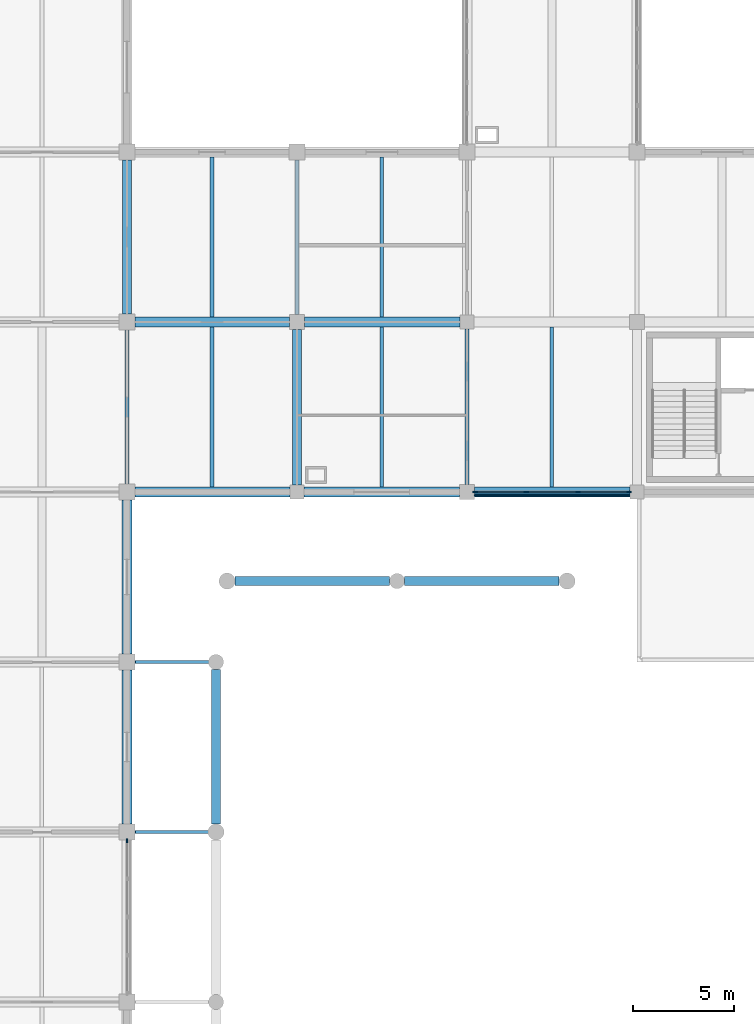
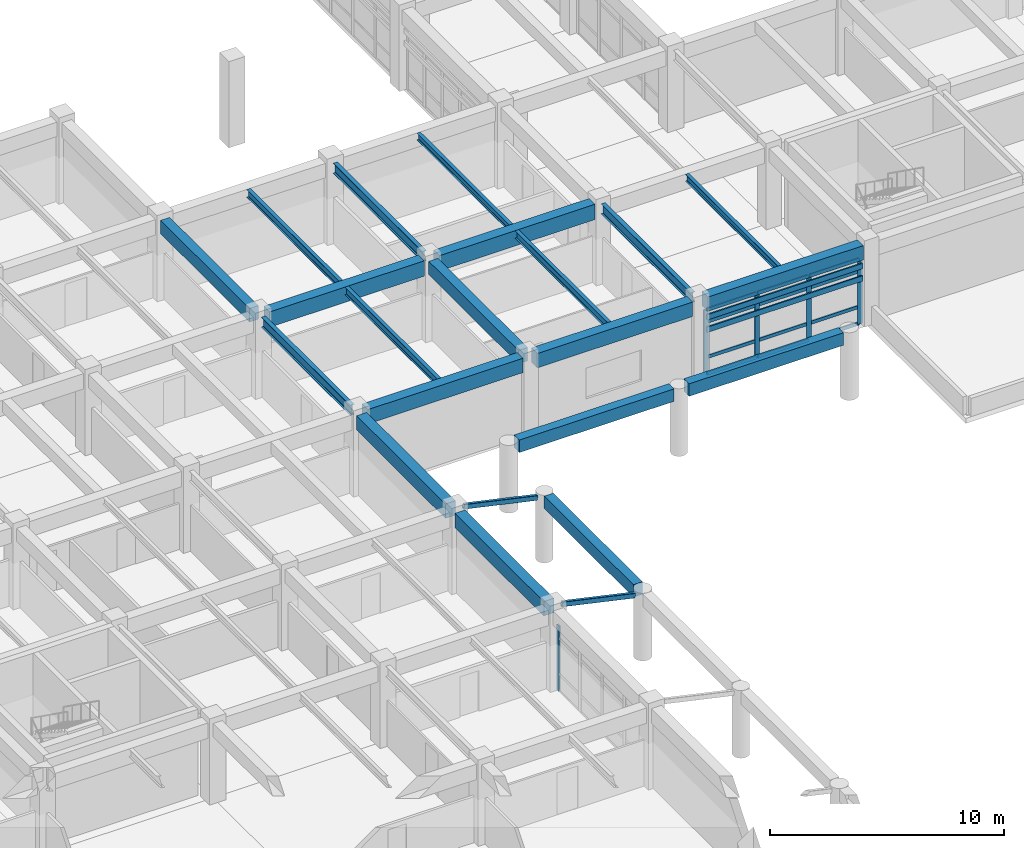
# One storey, part 8 of 99: 21 members, 20 beams, 2 elements without a shape of their own.
"""IFC4 building model written with IfcOpenShell, lengths in metres."""

from ifc_helpers import new_model, si_unit, direction, frame, origin, origin_2d, place, context, subcontext, project, spatial, rectangle, hollow_rectangle, i_section, extrude, material, layer, layer_set, material_profile, profile_set, type_object, element, aggregate, save


model = new_model("IFC4")

# Units and contexts
model_context = context("Model", 3, precision=1e-05, world=origin(), true_north=direction((0.0, 1.0)))
body_context = subcontext(model_context, "Body", "Model", "MODEL_VIEW")
ifc_project = project(units=[si_unit("LENGTHUNIT", "METRE"), si_unit("AREAUNIT", "SQUARE_METRE"), si_unit("VOLUMEUNIT", "CUBIC_METRE"), si_unit("PLANEANGLEUNIT", "RADIAN"), si_unit("MASSUNIT", "GRAM", prefix="KILO")], contexts=[model_context])

# Site, building, storey
site_placement = place(None, origin())
site = spatial("IfcSite", under=ifc_project, at=site_placement, CompositionType="ELEMENT")
building_placement = place(site_placement, origin())
building = spatial("IfcBuilding", under=site, at=building_placement, Name="Porcellanite Civic Hall", CompositionType="ELEMENT")
storey_placement = place(building_placement, frame((0.0, 0.0, 5.760009765625)))
storey = spatial("IfcBuildingStorey", under=building, at=storey_placement, Name="L01", CompositionType="ELEMENT", Elevation=5.760009765625)

# Beams
ifc_material_1 = material(Name="Concrete N50 (50 MPa)", Category="concrete")
ifc_material_profile_1 = material_profile(ifc_material_1, rectangle(XDim=0.449951171875, YDim=0.64990234375, at=origin_2d()), Name="RC-450x650")
ifc_profile_set_1 = profile_set([ifc_material_profile_1], Name="Concrete N50 (50 MPa)")
beam_type_1 = type_object("IfcBeamType", Name="BM-RC650", PredefinedType="SPANDREL", material=ifc_profile_set_1)
for number, where, z_axis, x_axis, name in (
    (1, (38.0, 33.99951171875, 3.205078125), (0.0, 1.0, 0.0), (-1.0, 0.0, 0.0), "Colonnade keystone beam L01 COL-W-P05"),
    (2, (38.949462890625, 46.0, 3.205078125), (1.0, 0.0, 0.0), (0.0, 1.0, 0.0), "Colonnade keystone beam L01 COL-NW-P01"),
    (3, (47.324462890625, 46.0, 3.205078125), (1.0, 0.0, 0.0), (0.0, 1.0, 0.0), "Colonnade keystone beam L01 COL-NW-P02"),
):
    element("IfcBeam", number, at=place(storey_placement, frame(where, z_axis=z_axis, x_axis=x_axis)), inside=storey, type_object=beam_type_1, Name=name, PredefinedType="SPANDREL", context=body_context, shape_type="SweptSolid", body=[
        extrude(rectangle(XDim=0.449951171875, YDim=0.64990234375, at=origin_2d()), origin(), (0.0, 0.0, 1.0), 7.6259765625),
    ])
ifc_material_2 = material(Name="Concrete N50 (50 MPa)", Category="concrete")
ifc_material_profile_2 = material_profile(ifc_material_2, rectangle(XDim=0.449951171875, YDim=0.699951171875, at=origin_2d()), Name="RC-450x700")
ifc_profile_set_2 = profile_set([ifc_material_profile_2], Name="Concrete N50 (50 MPa)")
beam_type_2 = type_object("IfcBeamType", Name="BM-RC700", PredefinedType="BEAM", material=ifc_profile_set_2)
beam_1_placement = place(storey_placement, frame((33.60009765625, 59.199462890625, 3.85009765625), z_axis=(0.0, 1.0, 0.0), x_axis=(-1.0, 0.0, 0.0)))
element("IfcBeam", 4, at=beam_1_placement, inside=storey, type_object=beam_type_2, Name="Beam Y L01 5-8", PredefinedType="BEAM", context=body_context, shape_type="SweptSolid", body=[
    extrude(rectangle(XDim=0.449951171875, YDim=0.699951171875, at=origin_2d()), origin(), (0.0, 0.0, 1.0), 7.60107421875),
])
beam_2_placement = place(storey_placement, frame((42.0, 50.74951171875, 3.85009765625), z_axis=(0.0, 1.0, 0.0), x_axis=(-1.0, 0.0, 0.0)))
element("IfcBeam", 5, at=beam_2_placement, inside=storey, type_object=beam_type_2, Name="Beam Y L01 6-7", PredefinedType="BEAM", context=body_context, shape_type="SweptSolid", body=[
    extrude(rectangle(XDim=0.449951171875, YDim=0.699951171875, at=origin_2d()), origin(), (0.0, 0.0, 1.0), 7.676025390625),
])
ifc_material_3 = material(Name="Concrete N50 (50 MPa)", Category="concrete")
ifc_material_profile_3 = material_profile(ifc_material_3, rectangle(XDim=0.5, YDim=0.75, at=origin_2d()), Name="RC-500x750")
ifc_profile_set_3 = profile_set([ifc_material_profile_3], Name="Concrete N50 (50 MPa)")
beam_type_3 = type_object("IfcBeamType", Name="BM-RC750", PredefinedType="SPANDREL", material=ifc_profile_set_3)
beam_3_placement = place(storey_placement, frame((33.99951171875, 50.39990234375, 3.824951171875), z_axis=(1.0, 0.0, 0.0), x_axis=(0.0, 1.0, 0.0)))
element("IfcBeam", 6, at=beam_3_placement, inside=storey, type_object=beam_type_3, Name="Beam X L01 5-7", PredefinedType="SPANDREL", context=body_context, shape_type="SweptSolid", body=[
    extrude(rectangle(XDim=0.5, YDim=0.75, at=origin_2d()), origin(), (0.0, 0.0, 1.0), 7.65087890625),
])
beam_4_placement = place(storey_placement, frame((42.349609375, 50.39990234375, 3.824951171875), z_axis=(1.0, 0.0, 0.0), x_axis=(0.0, 1.0, 0.0)))
element("IfcBeam", 7, at=beam_4_placement, inside=storey, type_object=beam_type_3, Name="Beam X L01 6-7", PredefinedType="SPANDREL", context=body_context, shape_type="SweptSolid", body=[
    extrude(rectangle(XDim=0.5, YDim=0.75, at=origin_2d()), origin(), (0.0, 0.0, 1.0), 7.67578125),
])
beam_5_placement = place(storey_placement, frame((50.7744140625, 50.39990234375, 3.824951171875), z_axis=(1.0, 0.0, 0.0), x_axis=(0.0, 1.0, 0.0)))
element("IfcBeam", 8, at=beam_5_placement, inside=storey, type_object=beam_type_3, Name="Beam X L01 7-7", PredefinedType="SPANDREL", context=body_context, shape_type="SweptSolid", body=[
    extrude(rectangle(XDim=0.5, YDim=0.75, at=origin_2d()), origin(), (0.0, 0.0, 1.0), 7.676025390625),
])
for number, where, z_axis, x_axis, name in (
    (9, (33.60009765625, 33.99951171875, 3.824951171875), (0.0, 1.0, 0.0), (-1.0, 0.0, 0.0), "Beam Y L01 5-5"),
    (10, (33.60009765625, 42.3994140625, 3.824951171875), (0.0, 1.0, 0.0), (-1.0, 0.0, 0.0), "Beam Y L01 5-6"),
):
    element("IfcBeam", number, at=place(storey_placement, frame(where, z_axis=z_axis, x_axis=x_axis)), inside=storey, type_object=beam_type_3, Name=name, PredefinedType="SPANDREL", context=body_context, shape_type="SweptSolid", body=[
        extrude(rectangle(XDim=0.5, YDim=0.75, at=origin_2d()), origin(), (0.0, 0.0, 1.0), 7.60107421875),
    ])
ifc_material_4 = material(Name="Concrete N50 (50 MPa)", Category="concrete")
ifc_material_profile_4 = material_profile(ifc_material_4, rectangle(XDim=0.5, YDim=0.800048828125, at=origin_2d()), Name="RC-500x800")
ifc_profile_set_4 = profile_set([ifc_material_profile_4], Name="Concrete N50 (50 MPa)")
beam_type_4 = type_object("IfcBeamType", Name="BM-RC800", PredefinedType="BEAM", material=ifc_profile_set_4)
beam_6_placement = place(storey_placement, frame((33.99951171875, 58.800048828125, 3.800048828125), z_axis=(1.0, 0.0, 0.0), x_axis=(0.0, 1.0, 0.0)))
element("IfcBeam", 11, at=beam_6_placement, inside=storey, type_object=beam_type_4, Name="Beam X L01 5-8", PredefinedType="BEAM", context=body_context, shape_type="SweptSolid", body=[
    extrude(rectangle(XDim=0.5, YDim=0.800048828125, at=origin_2d()), origin(), (0.0, 0.0, 1.0), 7.6259765625),
])
beam_7_placement = place(storey_placement, frame((42.37451171875, 58.800048828125, 3.800048828125), z_axis=(1.0, 0.0, 0.0), x_axis=(0.0, 1.0, 0.0)))
element("IfcBeam", 12, at=beam_7_placement, inside=storey, type_object=beam_type_4, Name="Beam X L01 6-8", PredefinedType="BEAM", context=body_context, shape_type="SweptSolid", body=[
    extrude(rectangle(XDim=0.5, YDim=0.800048828125, at=origin_2d()), origin(), (0.0, 0.0, 1.0), 7.676025390625),
])

# Curtain wall, members
ifc_material_5 = material(Name="Anodised aluminium and solar laminated glass", Category="aluminium")
ifc_layer_1 = layer(ifc_material_5, 0.179931640625)
ifc_layer_set_1 = layer_set([ifc_layer_1], Name="Anodised aluminium and solar laminated glass")
curtain_wall_type_1 = type_object("IfcCurtainWallType", Name="CW-SYS08", PredefinedType="NOTDEFINED", material=ifc_layer_set_1)
curtain_wall_1_placement = place(storey_placement, origin())
curtain_wall_1 = element("IfcCurtainWall", 13, at=curtain_wall_1_placement, inside=storey, type_object=curtain_wall_type_1, Name="Curtain wall CW-076", PredefinedType="NOTDEFINED")
ifc_material_6 = material(Name="Anodised aluminium 6063-T6", Category="aluminium")
ifc_material_profile_5 = material_profile(ifc_material_6, rectangle(XDim=0.080078125, YDim=0.239990234375, at=origin_2d()), Name="AL-80x240")
ifc_profile_set_5 = profile_set([ifc_material_profile_5], Name="Anodised aluminium 6063-T6")
member_type_1 = type_object("IfcMemberType", Name="CWM-01", PredefinedType="MULLION", material=ifc_profile_set_5)
member_1_placement = place(storey_placement, frame((58.408935546875, 50.39990234375, 0.0), z_axis=(0.0, 0.0, 1.0), x_axis=(0.0, -1.0, 0.0)))
member_1 = element("IfcMember", 14, at=member_1_placement, type_object=member_type_1, Name="CW-076 mullion 1", PredefinedType="MULLION", context=body_context, shape_type="SweptSolid", body=[
    extrude(rectangle(XDim=0.080078125, YDim=0.239990234375, at=origin_2d()), origin(), (0.0, 0.0, 1.0), 3.39990234375),
])
member_2_placement = place(storey_placement, frame((55.891357421875, 50.39990234375, 0.0), z_axis=(0.0, 0.0, 1.0), x_axis=(0.0, -1.0, 0.0)))
member_2 = element("IfcMember", 15, at=member_2_placement, type_object=member_type_1, Name="CW-076 mullion 2", PredefinedType="MULLION", context=body_context, shape_type="SweptSolid", body=[
    extrude(rectangle(XDim=0.080078125, YDim=0.239990234375, at=origin_2d()), origin(), (0.0, 0.0, 1.0), 3.39990234375),
])
member_3_placement = place(storey_placement, frame((53.333740234375, 50.39990234375, 0.0), z_axis=(0.0, 0.0, 1.0), x_axis=(0.0, -1.0, 0.0)))
member_3 = element("IfcMember", 16, at=member_3_placement, type_object=member_type_1, Name="CW-076 mullion 3", PredefinedType="MULLION", context=body_context, shape_type="SweptSolid", body=[
    extrude(rectangle(XDim=0.080078125, YDim=0.239990234375, at=origin_2d()), origin(), (0.0, 0.0, 1.0), 3.39990234375),
])
member_4_placement = place(storey_placement, frame((50.81591796875, 50.39990234375, 0.0), z_axis=(0.0, 0.0, 1.0), x_axis=(0.0, -1.0, 0.0)))
member_4 = element("IfcMember", 17, at=member_4_placement, type_object=member_type_1, Name="CW-076 mullion 4", PredefinedType="MULLION", context=body_context, shape_type="SweptSolid", body=[
    extrude(rectangle(XDim=0.080078125, YDim=0.239990234375, at=origin_2d()), origin(), (0.0, 0.0, 1.0), 3.39990234375),
])

# Curtain wall, member
ifc_material_7 = material(Name="Anodised aluminium and solar laminated glass", Category="aluminium")
ifc_layer_2 = layer(ifc_material_7, 0.179931640625)
ifc_layer_set_2 = layer_set([ifc_layer_2], Name="Anodised aluminium and solar laminated glass")
curtain_wall_type_2 = type_object("IfcCurtainWallType", Name="CW-SYS05", PredefinedType="NOTDEFINED", material=ifc_layer_set_2)
curtain_wall_2_placement = place(storey_placement, origin())
curtain_wall_2 = element("IfcCurtainWall", 18, at=curtain_wall_2_placement, inside=storey, type_object=curtain_wall_type_2, Name="Curtain wall CW-071", PredefinedType="NOTDEFINED")
ifc_material_8 = material(Name="Anodised aluminium 6063-T6", Category="aluminium")
ifc_material_profile_6 = material_profile(ifc_material_8, rectangle(XDim=0.070068359375, YDim=0.199951171875, at=origin_2d()), Name="AL-70x200")
ifc_profile_set_6 = profile_set([ifc_material_profile_6], Name="Anodised aluminium 6063-T6")
member_type_2 = type_object("IfcMemberType", Name="CWM-05", PredefinedType="MULLION", material=ifc_profile_set_6)
member_5_placement = place(storey_placement, frame((33.60009765625, 33.1640625, 0.0), z_axis=(0.0, 0.0, 1.0), x_axis=(1.0, 0.0, 0.0)))
member_5 = element("IfcMember", 19, at=member_5_placement, type_object=member_type_2, Name="CW-071 mullion 1", PredefinedType="MULLION", context=body_context, shape_type="SweptSolid", body=[
    extrude(rectangle(XDim=0.070068359375, YDim=0.199951171875, at=origin_2d()), origin(), (0.0, 0.0, 1.0), 3.39990234375),
])
aggregate(curtain_wall_2, [member_5])

# Member
ifc_material_9 = material(Name="Anodised aluminium 6063-T6", Category="aluminium")
ifc_material_profile_7 = material_profile(ifc_material_9, rectangle(XDim=0.070068359375, YDim=0.175048828125, at=origin_2d()), Name="AL-70x175")
ifc_profile_set_7 = profile_set([ifc_material_profile_7], Name="Anodised aluminium 6063-T6")
member_type_3 = type_object("IfcMemberType", Name="CWT-01", PredefinedType="USERDEFINED", material=ifc_profile_set_7)
member_6_placement = place(storey_placement, frame((58.368896484375, 50.39990234375, 0.034912109375), z_axis=(-1.0, 0.0, 0.0), x_axis=(0.0, -1.0, 0.0)))
member_6 = element("IfcMember", 20, at=member_6_placement, type_object=member_type_3, Name="CW-076 transom 1.1", ObjectType="TRANSOM", PredefinedType="USERDEFINED", context=body_context, shape_type="SweptSolid", body=[
    extrude(rectangle(XDim=0.070068359375, YDim=0.175048828125, at=origin_2d()), origin(), (0.0, 0.0, 1.0), 2.4375),
])

member_7_placement = place(storey_placement, frame((58.368896484375, 50.39990234375, 0.89990234375), z_axis=(-1.0, 0.0, 0.0), x_axis=(0.0, -1.0, 0.0)))
member_7 = element("IfcMember", 21, at=member_7_placement, type_object=member_type_3, Name="CW-076 transom 1.2", ObjectType="TRANSOM", PredefinedType="USERDEFINED", context=body_context, shape_type="SweptSolid", body=[
    extrude(rectangle(XDim=0.070068359375, YDim=0.175048828125, at=origin_2d()), origin(), (0.0, 0.0, 1.0), 2.4375),
])

member_8_placement = place(storey_placement, frame((58.368896484375, 50.39990234375, 2.75), z_axis=(-1.0, 0.0, 0.0), x_axis=(0.0, -1.0, 0.0)))
member_8 = element("IfcMember", 22, at=member_8_placement, type_object=member_type_3, Name="CW-076 transom 1.3", ObjectType="TRANSOM", PredefinedType="USERDEFINED", context=body_context, shape_type="SweptSolid", body=[
    extrude(rectangle(XDim=0.070068359375, YDim=0.175048828125, at=origin_2d()), origin(), (0.0, 0.0, 1.0), 2.4375),
])

member_9_placement = place(storey_placement, frame((58.368896484375, 50.39990234375, 3.364990234375), z_axis=(-1.0, 0.0, 0.0), x_axis=(0.0, -1.0, 0.0)))
member_9 = element("IfcMember", 23, at=member_9_placement, type_object=member_type_3, Name="CW-076 transom 1.4", ObjectType="TRANSOM", PredefinedType="USERDEFINED", context=body_context, shape_type="SweptSolid", body=[
    extrude(rectangle(XDim=0.070068359375, YDim=0.175048828125, at=origin_2d()), origin(), (0.0, 0.0, 1.0), 2.4375),
])

member_10_placement = place(storey_placement, frame((55.851318359375, 50.39990234375, 0.034912109375), z_axis=(-1.0, 0.0, 0.0), x_axis=(0.0, -1.0, 0.0)))
member_10 = element("IfcMember", 24, at=member_10_placement, type_object=member_type_3, Name="CW-076 transom 2.1", ObjectType="TRANSOM", PredefinedType="USERDEFINED", context=body_context, shape_type="SweptSolid", body=[
    extrude(rectangle(XDim=0.070068359375, YDim=0.175048828125, at=origin_2d()), origin(), (0.0, 0.0, 1.0), 2.4775390625),
])

member_11_placement = place(storey_placement, frame((55.851318359375, 50.39990234375, 0.89990234375), z_axis=(-1.0, 0.0, 0.0), x_axis=(0.0, -1.0, 0.0)))
member_11 = element("IfcMember", 25, at=member_11_placement, type_object=member_type_3, Name="CW-076 transom 2.2", ObjectType="TRANSOM", PredefinedType="USERDEFINED", context=body_context, shape_type="SweptSolid", body=[
    extrude(rectangle(XDim=0.070068359375, YDim=0.175048828125, at=origin_2d()), origin(), (0.0, 0.0, 1.0), 2.4775390625),
])

member_12_placement = place(storey_placement, frame((55.851318359375, 50.39990234375, 2.75), z_axis=(-1.0, 0.0, 0.0), x_axis=(0.0, -1.0, 0.0)))
member_12 = element("IfcMember", 26, at=member_12_placement, type_object=member_type_3, Name="CW-076 transom 2.3", ObjectType="TRANSOM", PredefinedType="USERDEFINED", context=body_context, shape_type="SweptSolid", body=[
    extrude(rectangle(XDim=0.070068359375, YDim=0.175048828125, at=origin_2d()), origin(), (0.0, 0.0, 1.0), 2.4775390625),
])

member_13_placement = place(storey_placement, frame((55.851318359375, 50.39990234375, 3.364990234375), z_axis=(-1.0, 0.0, 0.0), x_axis=(0.0, -1.0, 0.0)))
member_13 = element("IfcMember", 27, at=member_13_placement, type_object=member_type_3, Name="CW-076 transom 2.4", ObjectType="TRANSOM", PredefinedType="USERDEFINED", context=body_context, shape_type="SweptSolid", body=[
    extrude(rectangle(XDim=0.070068359375, YDim=0.175048828125, at=origin_2d()), origin(), (0.0, 0.0, 1.0), 2.4775390625),
])

member_14_placement = place(storey_placement, frame((53.293701171875, 50.39990234375, 0.034912109375), z_axis=(-1.0, 0.0, 0.0), x_axis=(0.0, -1.0, 0.0)))
member_14 = element("IfcMember", 28, at=member_14_placement, type_object=member_type_3, Name="CW-076 transom 3.1", ObjectType="TRANSOM", PredefinedType="USERDEFINED", context=body_context, shape_type="SweptSolid", body=[
    extrude(rectangle(XDim=0.070068359375, YDim=0.175048828125, at=origin_2d()), origin(), (0.0, 0.0, 1.0), 2.437744140625),
])

member_15_placement = place(storey_placement, frame((53.293701171875, 50.39990234375, 0.89990234375), z_axis=(-1.0, 0.0, 0.0), x_axis=(0.0, -1.0, 0.0)))
member_15 = element("IfcMember", 29, at=member_15_placement, type_object=member_type_3, Name="CW-076 transom 3.2", ObjectType="TRANSOM", PredefinedType="USERDEFINED", context=body_context, shape_type="SweptSolid", body=[
    extrude(rectangle(XDim=0.070068359375, YDim=0.175048828125, at=origin_2d()), origin(), (0.0, 0.0, 1.0), 2.437744140625),
])

member_16_placement = place(storey_placement, frame((53.293701171875, 50.39990234375, 2.75), z_axis=(-1.0, 0.0, 0.0), x_axis=(0.0, -1.0, 0.0)))
member_16 = element("IfcMember", 30, at=member_16_placement, type_object=member_type_3, Name="CW-076 transom 3.3", ObjectType="TRANSOM", PredefinedType="USERDEFINED", context=body_context, shape_type="SweptSolid", body=[
    extrude(rectangle(XDim=0.070068359375, YDim=0.175048828125, at=origin_2d()), origin(), (0.0, 0.0, 1.0), 2.437744140625),
])

member_17_placement = place(storey_placement, frame((53.293701171875, 50.39990234375, 3.364990234375), z_axis=(-1.0, 0.0, 0.0), x_axis=(0.0, -1.0, 0.0)))
member_17 = element("IfcMember", 31, at=member_17_placement, type_object=member_type_3, Name="CW-076 transom 3.4", ObjectType="TRANSOM", PredefinedType="USERDEFINED", context=body_context, shape_type="SweptSolid", body=[
    extrude(rectangle(XDim=0.070068359375, YDim=0.175048828125, at=origin_2d()), origin(), (0.0, 0.0, 1.0), 2.437744140625),
])

aggregate(curtain_wall_1, [member_1, member_2, member_3, member_4, member_6, member_7, member_8, member_9, member_10, member_11, member_12, member_13, member_14, member_15, member_16, member_17])

# Beams
ifc_material_10 = material(Name="Steel Grade 350", Category="steel")
ifc_material_profile_8 = material_profile(ifc_material_10, i_section(OverallWidth=0.172119140625, OverallDepth=0.35888671875, WebThickness=0.008056640625, FlangeThickness=0.012939453125, FilletRadius=0.011474609375, at=origin_2d()), Name="360UB56.7")
ifc_profile_set_8 = profile_set([ifc_material_profile_8], Name="Steel Grade 350")
beam_type_5 = type_object("IfcBeamType", Name="JST-360UB57", PredefinedType="JOIST", material=ifc_profile_set_8)
beam_8_placement = place(storey_placement, frame((46.199951171875, 59.049560546875, 4.0205078125), z_axis=(0.0, 1.0, 0.0), x_axis=(-1.0, 0.0, 0.0)))
element("IfcBeam", 32, at=beam_8_placement, inside=storey, type_object=beam_type_5, Name="Secondary joist L01 6-8", PredefinedType="JOIST", context=body_context, shape_type="SweptSolid", body=[
    extrude(i_section(OverallWidth=0.172119140625, OverallDepth=0.35888671875, WebThickness=0.008056640625, FlangeThickness=0.012939453125, FilletRadius=0.011474609375, at=origin_2d()), origin(), (0.0, 0.0, 1.0), 7.90087890625),
])
beam_9_placement = place(storey_placement, frame((54.60009765625, 50.6494140625, 4.0205078125), z_axis=(0.0, 1.0, 0.0), x_axis=(-1.0, 0.0, 0.0)))
element("IfcBeam", 33, at=beam_9_placement, inside=storey, type_object=beam_type_5, Name="Secondary joist L01 7-7", PredefinedType="JOIST", context=body_context, shape_type="SweptSolid", body=[
    extrude(i_section(OverallWidth=0.172119140625, OverallDepth=0.35888671875, WebThickness=0.008056640625, FlangeThickness=0.012939453125, FilletRadius=0.011474609375, at=origin_2d()), origin(), (0.0, 0.0, 1.0), 7.901123046875),
])
ifc_material_11 = material(Name="Steel Grade 350", Category="steel")
ifc_material_profile_9 = material_profile(ifc_material_11, i_section(OverallWidth=0.177978515625, OverallDepth=0.403076171875, WebThickness=0.007568359375, FlangeThickness=0.010986328125, FilletRadius=0.011474609375, at=origin_2d()), Name="410UB53.7")
ifc_profile_set_9 = profile_set([ifc_material_profile_9], Name="Steel Grade 350")
beam_type_6 = type_object("IfcBeamType", Name="JST-410UB54", PredefinedType="JOIST", material=ifc_profile_set_9)
beam_10_placement = place(storey_placement, frame((37.800048828125, 59.049560546875, 3.99853515625), z_axis=(0.0, 1.0, 0.0), x_axis=(-1.0, 0.0, 0.0)))
element("IfcBeam", 34, at=beam_10_placement, inside=storey, type_object=beam_type_6, Name="Secondary joist L01 5-8", PredefinedType="JOIST", context=body_context, shape_type="SweptSolid", body=[
    extrude(i_section(OverallWidth=0.177978515625, OverallDepth=0.403076171875, WebThickness=0.007568359375, FlangeThickness=0.010986328125, FilletRadius=0.011474609375, at=origin_2d()), origin(), (0.0, 0.0, 1.0), 7.90087890625),
])
beam_11_placement = place(storey_placement, frame((46.199951171875, 50.6494140625, 3.99853515625), z_axis=(0.0, 1.0, 0.0), x_axis=(-1.0, 0.0, 0.0)))
element("IfcBeam", 35, at=beam_11_placement, inside=storey, type_object=beam_type_6, Name="Secondary joist L01 6-7", PredefinedType="JOIST", context=body_context, shape_type="SweptSolid", body=[
    extrude(i_section(OverallWidth=0.177978515625, OverallDepth=0.403076171875, WebThickness=0.007568359375, FlangeThickness=0.010986328125, FilletRadius=0.011474609375, at=origin_2d()), origin(), (0.0, 0.0, 1.0), 7.901123046875),
])
ifc_material_12 = material(Name="Steel Grade 350", Category="steel")
ifc_material_profile_10 = material_profile(ifc_material_12, i_section(OverallWidth=0.177978515625, OverallDepth=0.406005859375, WebThickness=0.0078125, FlangeThickness=0.0126953125, FilletRadius=0.011474609375, at=origin_2d()), Name="410UB59.7")
ifc_profile_set_10 = profile_set([ifc_material_profile_10], Name="Steel Grade 350")
beam_type_7 = type_object("IfcBeamType", Name="JST-410UB60", PredefinedType="JOIST", material=ifc_profile_set_10)
beam_12_placement = place(storey_placement, frame((37.800048828125, 50.6494140625, 3.9970703125), z_axis=(0.0, 1.0, 0.0), x_axis=(-1.0, 0.0, 0.0)))
element("IfcBeam", 36, at=beam_12_placement, inside=storey, type_object=beam_type_7, Name="Secondary joist L01 5-7", PredefinedType="JOIST", context=body_context, shape_type="SweptSolid", body=[
    extrude(i_section(OverallWidth=0.177978515625, OverallDepth=0.406005859375, WebThickness=0.0078125, FlangeThickness=0.0126953125, FilletRadius=0.011474609375, at=origin_2d()), origin(), (0.0, 0.0, 1.0), 7.901123046875),
])

# Members
ifc_material_13 = material(Name="Fluoropolymer bauxite-red aluminium 6063-T6", Category="aluminium")
ifc_material_profile_11 = material_profile(ifc_material_13, rectangle(XDim=0.070068359375, YDim=0.280029296875, at=origin_2d()), Name="AL-70x280")
ifc_profile_set_11 = profile_set([ifc_material_profile_11], Name="Fluoropolymer bauxite-red aluminium 6063-T6")
member_type_4 = type_object("IfcMemberType", Name="LV-BLD05", PredefinedType="USERDEFINED", material=ifc_profile_set_11)
for number, where, z_axis, x_axis, name in (
    (37, (58.450439453125, 50.242919921875, 3.10009765625), (-1.0, 0.0, 0.0), (0.0, -1.0, 0.0), "Cyclone sunshade louvre L01 S 6-6 1"),
    (38, (58.450439453125, 50.242919921875, 2.449951171875), (-1.0, 0.0, 0.0), (0.0, -1.0, 0.0), "Cyclone sunshade louvre L01 S 6-6 2"),
):
    element("IfcMember", number, at=place(storey_placement, frame(where, z_axis=z_axis, x_axis=x_axis)), inside=storey, type_object=member_type_4, Name=name, ObjectType="LOUVRE BLADE", PredefinedType="USERDEFINED", context=body_context, shape_type="SweptSolid", body=[
        extrude(rectangle(XDim=0.070068359375, YDim=0.280029296875, at=origin_2d()), origin(), (0.0, 0.0, 1.0), 7.676025390625),
    ])

# Beams
ifc_material_14 = material(Name="Steel Grade 350", Category="steel")
ifc_material_profile_12 = material_profile(ifc_material_14, i_section(OverallWidth=0.208984375, OverallDepth=0.528076171875, WebThickness=0.009521484375, FlangeThickness=0.01318359375, FilletRadius=0.013916015625, at=origin_2d()), Name="530UB82.0")
ifc_profile_set_12 = profile_set([ifc_material_profile_12], Name="Steel Grade 350")
beam_type_8 = type_object("IfcBeamType", Name="RAF-530UB82", PredefinedType="BEAM", material=ifc_profile_set_12)
beam_13_placement = place(storey_placement, frame((33.60009765625, 50.799560546875, 3.93603515625), z_axis=(0.0, 1.0, 0.0), x_axis=(-1.0, 0.0, 0.0)))
element("IfcBeam", 39, at=beam_13_placement, inside=storey, type_object=beam_type_8, Name="Beam Y L01 5-7", PredefinedType="BEAM", context=body_context, shape_type="SweptSolid", body=[
    extrude(i_section(OverallWidth=0.208984375, OverallDepth=0.528076171875, WebThickness=0.009521484375, FlangeThickness=0.01318359375, FilletRadius=0.013916015625, at=origin_2d()), origin(), (0.0, 0.0, 1.0), 7.600830078125),
])
beam_14_placement = place(storey_placement, frame((42.0, 59.174560546875, 3.93603515625), z_axis=(0.0, 1.0, 0.0), x_axis=(-1.0, 0.0, 0.0)))
element("IfcBeam", 40, at=beam_14_placement, inside=storey, type_object=beam_type_8, Name="Beam Y L01 6-8", PredefinedType="BEAM", context=body_context, shape_type="SweptSolid", body=[
    extrude(i_section(OverallWidth=0.208984375, OverallDepth=0.528076171875, WebThickness=0.009521484375, FlangeThickness=0.01318359375, FilletRadius=0.013916015625, at=origin_2d()), origin(), (0.0, 0.0, 1.0), 7.6259765625),
])
beam_15_placement = place(storey_placement, frame((50.39990234375, 50.7744140625, 3.93603515625), z_axis=(0.0, 1.0, 0.0), x_axis=(-1.0, 0.0, 0.0)))
element("IfcBeam", 41, at=beam_15_placement, inside=storey, type_object=beam_type_8, Name="Beam Y L01 7-7", PredefinedType="BEAM", context=body_context, shape_type="SweptSolid", body=[
    extrude(i_section(OverallWidth=0.208984375, OverallDepth=0.528076171875, WebThickness=0.009521484375, FlangeThickness=0.01318359375, FilletRadius=0.013916015625, at=origin_2d()), origin(), (0.0, 0.0, 1.0), 7.676025390625),
])

# Members
ifc_material_15 = material(Name="Steel C350L0", Category="steel")
ifc_material_profile_13 = material_profile(ifc_material_15, hollow_rectangle(XDim=0.14990234375, YDim=0.25, WallThickness=0.008056640625, InnerFilletRadius=0.011962890625, OuterFilletRadius=0.02001953125, at=origin_2d()), Name="250x150x8.0RHS")
ifc_profile_set_13 = profile_set([ifc_material_profile_13], Name="Steel C350L0")
member_type_5 = type_object("IfcMemberType", Name="STR-250RHS", PredefinedType="STRUT", material=ifc_profile_set_13)
member_18_placement = place(storey_placement, frame((33.99951171875, 33.60009765625, 4.107421875), z_axis=(0.97630993964, 0.0, -0.216376758826), x_axis=(0.0, 1.0, 0.0)))
element("IfcMember", 42, at=member_18_placement, inside=storey, type_object=member_type_5, Name="Colonnade raker COL-W-P05", PredefinedType="STRUT", context=body_context, shape_type="SweptSolid", body=[
    extrude(hollow_rectangle(XDim=0.14990234375, YDim=0.25, WallThickness=0.008056640625, InnerFilletRadius=0.011962890625, OuterFilletRadius=0.02001953125, at=origin_2d()), origin(), (0.0, 0.0, 1.0), 3.6884765625),
])
member_19_placement = place(storey_placement, frame((33.99951171875, 42.0, 4.107421875), z_axis=(0.976304467502, 0.0, -0.216401448089), x_axis=(0.0, 1.0, 0.0)))
element("IfcMember", 43, at=member_19_placement, inside=storey, type_object=member_type_5, Name="Colonnade raker COL-W-P06", PredefinedType="STRUT", context=body_context, shape_type="SweptSolid", body=[
    extrude(hollow_rectangle(XDim=0.14990234375, YDim=0.25, WallThickness=0.008056640625, InnerFilletRadius=0.011962890625, OuterFilletRadius=0.02001953125, at=origin_2d()), origin(), (0.0, 0.0, 1.0), 3.7138671875),
])

save(model, "model.ifc")
